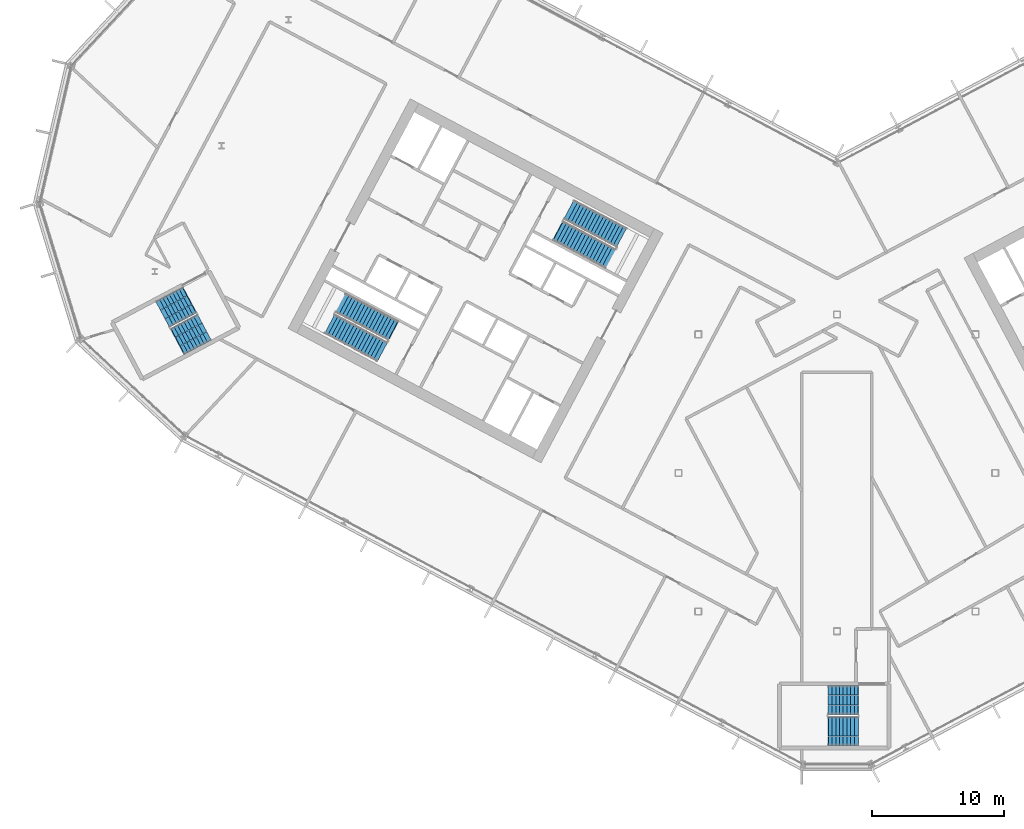
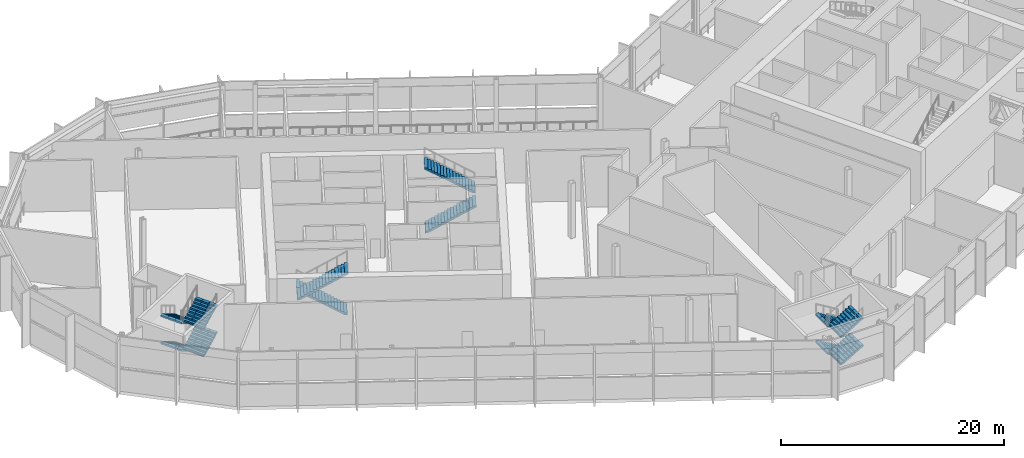
# One storey, part 18 of 33: 12 stair flights, 4 elements without a shape of their own.
"""IFC4 building model written with IfcOpenShell, lengths in metres."""

from ifc_helpers import new_model, si_unit, direction, frame, origin, place, context, subcontext, project, spatial, polyline, outline, extrude, material, type_object, element, aggregate, save


model = new_model("IFC4")

# Units and contexts
model_context = context("Model", 3, precision=1e-05, world=origin(), true_north=direction((0.0, 1.0)))
body_context = subcontext(model_context, "Body", "Model", "MODEL_VIEW")
ifc_project = project(units=[si_unit("LENGTHUNIT", "METRE"), si_unit("AREAUNIT", "SQUARE_METRE"), si_unit("VOLUMEUNIT", "CUBIC_METRE"), si_unit("PLANEANGLEUNIT", "RADIAN"), si_unit("MASSUNIT", "GRAM", prefix="KILO")], contexts=[model_context])

# Site, building, storey
site_placement = place(None, origin())
site = spatial("IfcSite", under=ifc_project, at=site_placement, CompositionType="ELEMENT")
building_placement = place(site_placement, origin())
building = spatial("IfcBuilding", under=site, at=building_placement, Name="Cormorant Relay Tower", CompositionType="ELEMENT")
storey_placement = place(building_placement, frame((0.0, 0.0, 183.60009765625)))
storey = spatial("IfcBuildingStorey", under=building, at=storey_placement, Name="L39", CompositionType="ELEMENT", Elevation=183.60009765625)

# Stair, stair flights
ifc_material_1 = material(Name="Concrete 40 MPa", Category="concrete")
stair_type_1 = type_object("IfcStairType", Name="Exit stair 1500", PredefinedType="HALF_TURN_STAIR", material=ifc_material_1)
stair_1_placement = place(storey_placement, origin())
stair_1 = element("IfcStair", 1, at=stair_1_placement, inside=storey, type_object=stair_type_1, Name="L39 Stair", PredefinedType="HALF_TURN_STAIR")
ifc_material_2 = material(Name="Concrete 40 MPa", Category="concrete")
stair_flight_type_1 = type_object("IfcStairFlightType", Name="Exit stair flight 1650", PredefinedType="STRAIGHT", material=ifc_material_2)
stair_flight_1_placement = place(storey_placement, frame((-21.114501953125, 18.33349609375, 0.0), z_axis=(0.0, 0.0, 1.0), x_axis=(0.882947592859, -0.469471562786, 0.0)))
stair_flight_1 = element("IfcStairFlight", 2, at=stair_flight_1_placement, type_object=stair_flight_type_1, Name="A1 flight 1", NumberOfRisers=17, NumberOfTreads=16, PredefinedType="STRAIGHT", RiserHeight=0.176470588, TreadLength=0.28, context=body_context, shape_type="SweptSolid", body=[
    extrude(outline(polyline([(-0.050048828125, -0.080078125), (-0.050048828125, 0.0), (0.0, 0.0), (0.0, 0.176513671875), (0.280029296875, 0.176513671875), (0.280029296875, 0.35302734375), (0.56005859375, 0.35302734375), (0.56005859375, 0.529296875), (0.840087890625, 0.529296875), (0.840087890625, 0.705810546875), (1.1201171875, 0.705810546875), (1.1201171875, 0.88232421875), (1.39990234375, 0.88232421875), (1.39990234375, 1.058837890625), (1.679931640625, 1.058837890625), (1.679931640625, 1.2353515625), (1.9599609375, 1.2353515625), (1.9599609375, 1.411865234375), (2.239990234375, 1.411865234375), (2.239990234375, 1.588134765625), (2.52001953125, 1.588134765625), (2.52001953125, 1.7646484375), (2.800048828125, 1.7646484375), (2.800048828125, 1.941162109375), (3.080078125, 1.941162109375), (3.080078125, 2.11767578125), (3.360107421875, 2.11767578125), (3.360107421875, 2.294189453125), (3.639892578125, 2.294189453125), (3.639892578125, 2.470703125), (3.919921875, 2.470703125), (3.919921875, 2.64697265625), (4.199951171875, 2.64697265625), (4.199951171875, 2.823486328125), (4.47998046875, 2.823486328125), (4.530029296875, 2.823486328125), (4.530029296875, 2.646240234375), (4.47998046875, 2.646240234375), (0.28125, 0.0), (-0.050048828125, -0.080078125)])), frame((0.0, 0.824951171875, 0.0), z_axis=(0.0, -1.0, 0.0), x_axis=(1.0, 0.0, 0.0)), (0.0, 0.0, 1.0), 1.64990234375),
])
stair_flight_2_placement = place(storey_placement, frame((-16.313720703125, 17.819580078125, 3.0), z_axis=(0.0, 0.0, 1.0), x_axis=(-0.882947592859, 0.469471562786, 0.0)))
stair_flight_2 = element("IfcStairFlight", 3, at=stair_flight_2_placement, type_object=stair_flight_type_1, Name="A1 flight 2", NumberOfRisers=17, NumberOfTreads=16, PredefinedType="STRAIGHT", RiserHeight=0.176470588, TreadLength=0.28, context=body_context, shape_type="SweptSolid", body=[
    extrude(outline(polyline([(-0.050048828125, -0.080078125), (-0.050048828125, 0.0), (0.0, 0.0), (0.0, 0.176513671875), (0.280029296875, 0.176513671875), (0.280029296875, 0.35302734375), (0.56005859375, 0.35302734375), (0.56005859375, 0.529296875), (0.840087890625, 0.529296875), (0.840087890625, 0.705810546875), (1.1201171875, 0.705810546875), (1.1201171875, 0.88232421875), (1.39990234375, 0.88232421875), (1.39990234375, 1.058837890625), (1.679931640625, 1.058837890625), (1.679931640625, 1.2353515625), (1.9599609375, 1.2353515625), (1.9599609375, 1.411865234375), (2.239990234375, 1.411865234375), (2.239990234375, 1.588134765625), (2.52001953125, 1.588134765625), (2.52001953125, 1.7646484375), (2.800048828125, 1.7646484375), (2.800048828125, 1.941162109375), (3.080078125, 1.941162109375), (3.080078125, 2.11767578125), (3.360107421875, 2.11767578125), (3.360107421875, 2.294189453125), (3.639892578125, 2.294189453125), (3.639892578125, 2.470703125), (3.919921875, 2.470703125), (3.919921875, 2.64697265625), (4.199951171875, 2.64697265625), (4.199951171875, 2.823486328125), (4.47998046875, 2.823486328125), (4.530029296875, 2.823486328125), (4.530029296875, 2.646240234375), (4.47998046875, 2.646240234375), (0.28125, 0.0), (-0.050048828125, -0.080078125)])), frame((0.0, 0.824951171875, 0.0), z_axis=(0.0, -1.0, 0.0), x_axis=(1.0, 0.0, 0.0)), (0.0, 0.0, 1.0), 1.64990234375),
])
aggregate(stair_1, [stair_flight_1, stair_flight_2])

stair_2_placement = place(storey_placement, origin())
stair_2 = element("IfcStair", 4, at=stair_2_placement, inside=storey, type_object=stair_type_1, Name="L39 Stair", PredefinedType="HALF_TURN_STAIR")
stair_flight_3_placement = place(storey_placement, frame((-33.62841796875, 10.773681640625, 0.0), z_axis=(0.0, 0.0, 1.0), x_axis=(-0.882947592859, 0.469471562786, 0.0)))
stair_flight_3 = element("IfcStairFlight", 5, at=stair_flight_3_placement, type_object=stair_flight_type_1, Name="A2 flight 1", NumberOfRisers=17, NumberOfTreads=16, PredefinedType="STRAIGHT", RiserHeight=0.176470588, TreadLength=0.28, context=body_context, shape_type="SweptSolid", body=[
    extrude(outline(polyline([(-0.050048828125, -0.080078125), (-0.050048828125, 0.0), (0.0, 0.0), (0.0, 0.176513671875), (0.280029296875, 0.176513671875), (0.280029296875, 0.35302734375), (0.56005859375, 0.35302734375), (0.56005859375, 0.529296875), (0.840087890625, 0.529296875), (0.840087890625, 0.705810546875), (1.1201171875, 0.705810546875), (1.1201171875, 0.88232421875), (1.39990234375, 0.88232421875), (1.39990234375, 1.058837890625), (1.679931640625, 1.058837890625), (1.679931640625, 1.2353515625), (1.9599609375, 1.2353515625), (1.9599609375, 1.411865234375), (2.239990234375, 1.411865234375), (2.239990234375, 1.588134765625), (2.52001953125, 1.588134765625), (2.52001953125, 1.7646484375), (2.800048828125, 1.7646484375), (2.800048828125, 1.941162109375), (3.080078125, 1.941162109375), (3.080078125, 2.11767578125), (3.360107421875, 2.11767578125), (3.360107421875, 2.294189453125), (3.639892578125, 2.294189453125), (3.639892578125, 2.470703125), (3.919921875, 2.470703125), (3.919921875, 2.64697265625), (4.199951171875, 2.64697265625), (4.199951171875, 2.823486328125), (4.47998046875, 2.823486328125), (4.530029296875, 2.823486328125), (4.530029296875, 2.646240234375), (4.47998046875, 2.646240234375), (0.28125, 0.0), (-0.050048828125, -0.080078125)])), frame((0.0, 0.824951171875, 0.0), z_axis=(0.0, -1.0, 0.0), x_axis=(1.0, 0.0, 0.0)), (0.0, 0.0, 1.0), 1.64990234375),
])
stair_flight_4_placement = place(storey_placement, frame((-38.428955078125, 11.28759765625, 3.0), z_axis=(0.0, 0.0, 1.0), x_axis=(0.882947592859, -0.469471562786, 0.0)))
stair_flight_4 = element("IfcStairFlight", 6, at=stair_flight_4_placement, type_object=stair_flight_type_1, Name="A2 flight 2", NumberOfRisers=17, NumberOfTreads=16, PredefinedType="STRAIGHT", RiserHeight=0.176470588, TreadLength=0.28, context=body_context, shape_type="SweptSolid", body=[
    extrude(outline(polyline([(-0.050048828125, -0.080078125), (-0.050048828125, 0.0), (0.0, 0.0), (0.0, 0.176513671875), (0.280029296875, 0.176513671875), (0.280029296875, 0.35302734375), (0.56005859375, 0.35302734375), (0.56005859375, 0.529296875), (0.840087890625, 0.529296875), (0.840087890625, 0.705810546875), (1.1201171875, 0.705810546875), (1.1201171875, 0.88232421875), (1.39990234375, 0.88232421875), (1.39990234375, 1.058837890625), (1.679931640625, 1.058837890625), (1.679931640625, 1.2353515625), (1.9599609375, 1.2353515625), (1.9599609375, 1.411865234375), (2.239990234375, 1.411865234375), (2.239990234375, 1.588134765625), (2.52001953125, 1.588134765625), (2.52001953125, 1.7646484375), (2.800048828125, 1.7646484375), (2.800048828125, 1.941162109375), (3.080078125, 1.941162109375), (3.080078125, 2.11767578125), (3.360107421875, 2.11767578125), (3.360107421875, 2.294189453125), (3.639892578125, 2.294189453125), (3.639892578125, 2.470703125), (3.919921875, 2.470703125), (3.919921875, 2.64697265625), (4.199951171875, 2.64697265625), (4.199951171875, 2.823486328125), (4.47998046875, 2.823486328125), (4.530029296875, 2.823486328125), (4.530029296875, 2.646240234375), (4.47998046875, 2.646240234375), (0.28125, 0.0), (-0.050048828125, -0.080078125)])), frame((0.0, 0.824951171875, 0.0), z_axis=(0.0, -1.0, 0.0), x_axis=(1.0, 0.0, 0.0)), (0.0, 0.0, 1.0), 1.64990234375),
])
aggregate(stair_2, [stair_flight_3, stair_flight_4])

ifc_material_3 = material(Name="Concrete 40 MPa", Category="concrete")
stair_type_2 = type_object("IfcStairType", Name="Remote exit stair 2200", PredefinedType="HALF_TURN_STAIR", material=ifc_material_3)
stair_3_placement = place(storey_placement, origin())
stair_3 = element("IfcStair", 7, at=stair_3_placement, inside=storey, type_object=stair_type_2, Name="L39 Stair", PredefinedType="HALF_TURN_STAIR")
ifc_material_4 = material(Name="Concrete 40 MPa", Category="concrete")
stair_flight_type_2 = type_object("IfcStairFlightType", Name="Remote exit stair flight 2200", PredefinedType="STRAIGHT", material=ifc_material_4)
stair_flight_5_placement = place(storey_placement, frame((1.60009765625, -17.22509765625, 0.0), z_axis=(0.0, 0.0, 1.0), x_axis=(-1.0, 0.0, 0.0)))
stair_flight_5 = element("IfcStairFlight", 8, at=stair_flight_5_placement, type_object=stair_flight_type_2, Name="RK1 flight 1", NumberOfRisers=9, NumberOfTreads=8, PredefinedType="STRAIGHT", RiserHeight=0.166666667, TreadLength=0.28, context=body_context, shape_type="SweptSolid", body=[
    extrude(outline(polyline([(-0.050048828125, -0.080078125), (-0.050048828125, 0.0), (0.0, 0.0), (0.0, 0.166748046875), (0.280029296875, 0.166748046875), (0.280029296875, 0.333251953125), (0.56005859375, 0.333251953125), (0.56005859375, 0.5), (0.840087890625, 0.5), (0.840087890625, 0.666748046875), (1.1201171875, 0.666748046875), (1.1201171875, 0.833251953125), (1.39990234375, 0.833251953125), (1.39990234375, 1.0), (1.679931640625, 1.0), (1.679931640625, 1.166748046875), (1.9599609375, 1.166748046875), (1.9599609375, 1.333251953125), (2.239990234375, 1.333251953125), (2.2900390625, 1.333251953125), (2.2900390625, 1.158935546875), (2.239990234375, 1.158935546875), (0.29296875, 0.0), (-0.050048828125, -0.080078125)])), frame((0.0, 1.10009765625, 0.0), z_axis=(0.0, -1.0, 0.0), x_axis=(1.0, 0.0, 0.0)), (0.0, 0.0, 1.0), 0.719970703125),
    extrude(outline(polyline([(-0.050048828125, -0.080078125), (-0.050048828125, 0.0), (0.0, 0.0), (0.0, 0.166748046875), (0.280029296875, 0.166748046875), (0.280029296875, 0.333251953125), (0.56005859375, 0.333251953125), (0.56005859375, 0.5), (0.840087890625, 0.5), (0.840087890625, 0.666748046875), (1.1201171875, 0.666748046875), (1.1201171875, 0.833251953125), (1.39990234375, 0.833251953125), (1.39990234375, 1.0), (1.679931640625, 1.0), (1.679931640625, 1.166748046875), (1.9599609375, 1.166748046875), (1.9599609375, 1.333251953125), (2.239990234375, 1.333251953125), (2.2900390625, 1.333251953125), (2.2900390625, 1.158935546875), (2.239990234375, 1.158935546875), (0.29296875, 0.0), (-0.050048828125, -0.080078125)])), frame((0.0, 0.360107421875, 0.0), z_axis=(0.0, -1.0, 0.0), x_axis=(1.0, 0.0, 0.0)), (0.0, 0.0, 1.0), 0.719970703125),
    extrude(outline(polyline([(-0.050048828125, -0.080078125), (-0.050048828125, 0.0), (0.0, 0.0), (0.0, 0.166748046875), (0.280029296875, 0.166748046875), (0.280029296875, 0.333251953125), (0.56005859375, 0.333251953125), (0.56005859375, 0.5), (0.840087890625, 0.5), (0.840087890625, 0.666748046875), (1.1201171875, 0.666748046875), (1.1201171875, 0.833251953125), (1.39990234375, 0.833251953125), (1.39990234375, 1.0), (1.679931640625, 1.0), (1.679931640625, 1.166748046875), (1.9599609375, 1.166748046875), (1.9599609375, 1.333251953125), (2.239990234375, 1.333251953125), (2.2900390625, 1.333251953125), (2.2900390625, 1.158935546875), (2.239990234375, 1.158935546875), (0.29296875, 0.0), (-0.050048828125, -0.080078125)])), frame((0.0, -0.3798828125, 0.0), z_axis=(0.0, -1.0, 0.0), x_axis=(1.0, 0.0, 0.0)), (0.0, 0.0, 1.0), 0.719970703125),
])
stair_flight_6_placement = place(storey_placement, frame((-0.639892578125, -19.574951171875, 1.5), z_axis=(0.0, 0.0, 1.0), x_axis=(1.0, 0.0, 0.0)))
stair_flight_6 = element("IfcStairFlight", 9, at=stair_flight_6_placement, type_object=stair_flight_type_2, Name="RK1 flight 2", NumberOfRisers=9, NumberOfTreads=8, PredefinedType="STRAIGHT", RiserHeight=0.166666667, TreadLength=0.28, context=body_context, shape_type="SweptSolid", body=[
    extrude(outline(polyline([(-0.050048828125, -0.080078125), (-0.050048828125, 0.0), (0.0, 0.0), (0.0, 0.166748046875), (0.280029296875, 0.166748046875), (0.280029296875, 0.333251953125), (0.56005859375, 0.333251953125), (0.56005859375, 0.5), (0.840087890625, 0.5), (0.840087890625, 0.666748046875), (1.1201171875, 0.666748046875), (1.1201171875, 0.833251953125), (1.39990234375, 0.833251953125), (1.39990234375, 1.0), (1.679931640625, 1.0), (1.679931640625, 1.166748046875), (1.9599609375, 1.166748046875), (1.9599609375, 1.333251953125), (2.239990234375, 1.333251953125), (2.2900390625, 1.333251953125), (2.2900390625, 1.158935546875), (2.239990234375, 1.158935546875), (0.29296875, 0.0), (-0.050048828125, -0.080078125)])), frame((0.0, 1.10009765625, 0.0), z_axis=(0.0, -1.0, 0.0), x_axis=(1.0, 0.0, 0.0)), (0.0, 0.0, 1.0), 0.719970703125),
    extrude(outline(polyline([(-0.050048828125, -0.080078125), (-0.050048828125, 0.0), (0.0, 0.0), (0.0, 0.166748046875), (0.280029296875, 0.166748046875), (0.280029296875, 0.333251953125), (0.56005859375, 0.333251953125), (0.56005859375, 0.5), (0.840087890625, 0.5), (0.840087890625, 0.666748046875), (1.1201171875, 0.666748046875), (1.1201171875, 0.833251953125), (1.39990234375, 0.833251953125), (1.39990234375, 1.0), (1.679931640625, 1.0), (1.679931640625, 1.166748046875), (1.9599609375, 1.166748046875), (1.9599609375, 1.333251953125), (2.239990234375, 1.333251953125), (2.2900390625, 1.333251953125), (2.2900390625, 1.158935546875), (2.239990234375, 1.158935546875), (0.29296875, 0.0), (-0.050048828125, -0.080078125)])), frame((0.0, 0.360107421875, 0.0), z_axis=(0.0, -1.0, 0.0), x_axis=(1.0, 0.0, 0.0)), (0.0, 0.0, 1.0), 0.719970703125),
    extrude(outline(polyline([(-0.050048828125, -0.080078125), (-0.050048828125, 0.0), (0.0, 0.0), (0.0, 0.166748046875), (0.280029296875, 0.166748046875), (0.280029296875, 0.333251953125), (0.56005859375, 0.333251953125), (0.56005859375, 0.5), (0.840087890625, 0.5), (0.840087890625, 0.666748046875), (1.1201171875, 0.666748046875), (1.1201171875, 0.833251953125), (1.39990234375, 0.833251953125), (1.39990234375, 1.0), (1.679931640625, 1.0), (1.679931640625, 1.166748046875), (1.9599609375, 1.166748046875), (1.9599609375, 1.333251953125), (2.239990234375, 1.333251953125), (2.2900390625, 1.333251953125), (2.2900390625, 1.158935546875), (2.239990234375, 1.158935546875), (0.29296875, 0.0), (-0.050048828125, -0.080078125)])), frame((0.0, -0.3798828125, 0.0), z_axis=(0.0, -1.0, 0.0), x_axis=(1.0, 0.0, 0.0)), (0.0, 0.0, 1.0), 0.719970703125),
])
stair_flight_7_placement = place(storey_placement, frame((1.60009765625, -17.22509765625, 3.0), z_axis=(0.0, 0.0, 1.0), x_axis=(-1.0, 0.0, 0.0)))
stair_flight_7 = element("IfcStairFlight", 10, at=stair_flight_7_placement, type_object=stair_flight_type_2, Name="RK1 flight 3", NumberOfRisers=9, NumberOfTreads=8, PredefinedType="STRAIGHT", RiserHeight=0.166666667, TreadLength=0.28, context=body_context, shape_type="SweptSolid", body=[
    extrude(outline(polyline([(-0.050048828125, -0.080078125), (-0.050048828125, 0.0), (0.0, 0.0), (0.0, 0.166748046875), (0.280029296875, 0.166748046875), (0.280029296875, 0.333251953125), (0.56005859375, 0.333251953125), (0.56005859375, 0.5), (0.840087890625, 0.5), (0.840087890625, 0.666748046875), (1.1201171875, 0.666748046875), (1.1201171875, 0.833251953125), (1.39990234375, 0.833251953125), (1.39990234375, 1.0), (1.679931640625, 1.0), (1.679931640625, 1.166748046875), (1.9599609375, 1.166748046875), (1.9599609375, 1.333251953125), (2.239990234375, 1.333251953125), (2.2900390625, 1.333251953125), (2.2900390625, 1.158935546875), (2.239990234375, 1.158935546875), (0.29296875, 0.0), (-0.050048828125, -0.080078125)])), frame((0.0, 1.10009765625, 0.0), z_axis=(0.0, -1.0, 0.0), x_axis=(1.0, 0.0, 0.0)), (0.0, 0.0, 1.0), 0.719970703125),
    extrude(outline(polyline([(-0.050048828125, -0.080078125), (-0.050048828125, 0.0), (0.0, 0.0), (0.0, 0.166748046875), (0.280029296875, 0.166748046875), (0.280029296875, 0.333251953125), (0.56005859375, 0.333251953125), (0.56005859375, 0.5), (0.840087890625, 0.5), (0.840087890625, 0.666748046875), (1.1201171875, 0.666748046875), (1.1201171875, 0.833251953125), (1.39990234375, 0.833251953125), (1.39990234375, 1.0), (1.679931640625, 1.0), (1.679931640625, 1.166748046875), (1.9599609375, 1.166748046875), (1.9599609375, 1.333251953125), (2.239990234375, 1.333251953125), (2.2900390625, 1.333251953125), (2.2900390625, 1.158935546875), (2.239990234375, 1.158935546875), (0.29296875, 0.0), (-0.050048828125, -0.080078125)])), frame((0.0, 0.360107421875, 0.0), z_axis=(0.0, -1.0, 0.0), x_axis=(1.0, 0.0, 0.0)), (0.0, 0.0, 1.0), 0.719970703125),
    extrude(outline(polyline([(-0.050048828125, -0.080078125), (-0.050048828125, 0.0), (0.0, 0.0), (0.0, 0.166748046875), (0.280029296875, 0.166748046875), (0.280029296875, 0.333251953125), (0.56005859375, 0.333251953125), (0.56005859375, 0.5), (0.840087890625, 0.5), (0.840087890625, 0.666748046875), (1.1201171875, 0.666748046875), (1.1201171875, 0.833251953125), (1.39990234375, 0.833251953125), (1.39990234375, 1.0), (1.679931640625, 1.0), (1.679931640625, 1.166748046875), (1.9599609375, 1.166748046875), (1.9599609375, 1.333251953125), (2.239990234375, 1.333251953125), (2.2900390625, 1.333251953125), (2.2900390625, 1.158935546875), (2.239990234375, 1.158935546875), (0.29296875, 0.0), (-0.050048828125, -0.080078125)])), frame((0.0, -0.3798828125, 0.0), z_axis=(0.0, -1.0, 0.0), x_axis=(1.0, 0.0, 0.0)), (0.0, 0.0, 1.0), 0.719970703125),
])
stair_flight_8_placement = place(storey_placement, frame((-0.639892578125, -19.574951171875, 4.5), z_axis=(0.0, 0.0, 1.0), x_axis=(1.0, 0.0, 0.0)))
stair_flight_8 = element("IfcStairFlight", 11, at=stair_flight_8_placement, type_object=stair_flight_type_2, Name="RK1 flight 4", NumberOfRisers=9, NumberOfTreads=8, PredefinedType="STRAIGHT", RiserHeight=0.166666667, TreadLength=0.28, context=body_context, shape_type="SweptSolid", body=[
    extrude(outline(polyline([(-0.050048828125, -0.080078125), (-0.050048828125, 0.0), (0.0, 0.0), (0.0, 0.166748046875), (0.280029296875, 0.166748046875), (0.280029296875, 0.333251953125), (0.56005859375, 0.333251953125), (0.56005859375, 0.5), (0.840087890625, 0.5), (0.840087890625, 0.666748046875), (1.1201171875, 0.666748046875), (1.1201171875, 0.833251953125), (1.39990234375, 0.833251953125), (1.39990234375, 1.0), (1.679931640625, 1.0), (1.679931640625, 1.166748046875), (1.9599609375, 1.166748046875), (1.9599609375, 1.333251953125), (2.239990234375, 1.333251953125), (2.2900390625, 1.333251953125), (2.2900390625, 1.158935546875), (2.239990234375, 1.158935546875), (0.29296875, 0.0), (-0.050048828125, -0.080078125)])), frame((0.0, 1.10009765625, 0.0), z_axis=(0.0, -1.0, 0.0), x_axis=(1.0, 0.0, 0.0)), (0.0, 0.0, 1.0), 0.719970703125),
    extrude(outline(polyline([(-0.050048828125, -0.080078125), (-0.050048828125, 0.0), (0.0, 0.0), (0.0, 0.166748046875), (0.280029296875, 0.166748046875), (0.280029296875, 0.333251953125), (0.56005859375, 0.333251953125), (0.56005859375, 0.5), (0.840087890625, 0.5), (0.840087890625, 0.666748046875), (1.1201171875, 0.666748046875), (1.1201171875, 0.833251953125), (1.39990234375, 0.833251953125), (1.39990234375, 1.0), (1.679931640625, 1.0), (1.679931640625, 1.166748046875), (1.9599609375, 1.166748046875), (1.9599609375, 1.333251953125), (2.239990234375, 1.333251953125), (2.2900390625, 1.333251953125), (2.2900390625, 1.158935546875), (2.239990234375, 1.158935546875), (0.29296875, 0.0), (-0.050048828125, -0.080078125)])), frame((0.0, 0.360107421875, 0.0), z_axis=(0.0, -1.0, 0.0), x_axis=(1.0, 0.0, 0.0)), (0.0, 0.0, 1.0), 0.719970703125),
    extrude(outline(polyline([(-0.050048828125, -0.080078125), (-0.050048828125, 0.0), (0.0, 0.0), (0.0, 0.166748046875), (0.280029296875, 0.166748046875), (0.280029296875, 0.333251953125), (0.56005859375, 0.333251953125), (0.56005859375, 0.5), (0.840087890625, 0.5), (0.840087890625, 0.666748046875), (1.1201171875, 0.666748046875), (1.1201171875, 0.833251953125), (1.39990234375, 0.833251953125), (1.39990234375, 1.0), (1.679931640625, 1.0), (1.679931640625, 1.166748046875), (1.9599609375, 1.166748046875), (1.9599609375, 1.333251953125), (2.239990234375, 1.333251953125), (2.2900390625, 1.333251953125), (2.2900390625, 1.158935546875), (2.239990234375, 1.158935546875), (0.29296875, 0.0), (-0.050048828125, -0.080078125)])), frame((0.0, -0.3798828125, 0.0), z_axis=(0.0, -1.0, 0.0), x_axis=(1.0, 0.0, 0.0)), (0.0, 0.0, 1.0), 0.719970703125),
])
aggregate(stair_3, [stair_flight_5, stair_flight_6, stair_flight_7, stair_flight_8])

stair_4_placement = place(storey_placement, origin())
stair_4 = element("IfcStair", 12, at=stair_4_placement, inside=storey, type_object=stair_type_2, Name="L39 Stair", PredefinedType="HALF_TURN_STAIR")
stair_flight_9_placement = place(storey_placement, frame((-49.062255859375, 13.08251953125, 0.0), z_axis=(0.0, 0.0, 1.0), x_axis=(-0.882947502727, -0.4694717323, 0.0)))
stair_flight_9 = element("IfcStairFlight", 13, at=stair_flight_9_placement, type_object=stair_flight_type_2, Name="RP1 flight 1", NumberOfRisers=9, NumberOfTreads=8, PredefinedType="STRAIGHT", RiserHeight=0.166666667, TreadLength=0.28, context=body_context, shape_type="SweptSolid", body=[
    extrude(outline(polyline([(-0.050048828125, -0.080078125), (-0.050048828125, 0.0), (0.0, 0.0), (0.0, 0.166748046875), (0.280029296875, 0.166748046875), (0.280029296875, 0.333251953125), (0.56005859375, 0.333251953125), (0.56005859375, 0.5), (0.840087890625, 0.5), (0.840087890625, 0.666748046875), (1.1201171875, 0.666748046875), (1.1201171875, 0.833251953125), (1.39990234375, 0.833251953125), (1.39990234375, 1.0), (1.679931640625, 1.0), (1.679931640625, 1.166748046875), (1.9599609375, 1.166748046875), (1.9599609375, 1.333251953125), (2.239990234375, 1.333251953125), (2.2900390625, 1.333251953125), (2.2900390625, 1.158935546875), (2.239990234375, 1.158935546875), (0.29296875, 0.0), (-0.050048828125, -0.080078125)])), frame((0.0, 1.10009765625, 0.0), z_axis=(0.0, -1.0, 0.0), x_axis=(1.0, 0.0, 0.0)), (0.0, 0.0, 1.0), 0.719970703125),
    extrude(outline(polyline([(-0.050048828125, -0.080078125), (-0.050048828125, 0.0), (0.0, 0.0), (0.0, 0.166748046875), (0.280029296875, 0.166748046875), (0.280029296875, 0.333251953125), (0.56005859375, 0.333251953125), (0.56005859375, 0.5), (0.840087890625, 0.5), (0.840087890625, 0.666748046875), (1.1201171875, 0.666748046875), (1.1201171875, 0.833251953125), (1.39990234375, 0.833251953125), (1.39990234375, 1.0), (1.679931640625, 1.0), (1.679931640625, 1.166748046875), (1.9599609375, 1.166748046875), (1.9599609375, 1.333251953125), (2.239990234375, 1.333251953125), (2.2900390625, 1.333251953125), (2.2900390625, 1.158935546875), (2.239990234375, 1.158935546875), (0.29296875, 0.0), (-0.050048828125, -0.080078125)])), frame((0.0, 0.360107421875, 0.0), z_axis=(0.0, -1.0, 0.0), x_axis=(1.0, 0.0, 0.0)), (0.0, 0.0, 1.0), 0.719970703125),
    extrude(outline(polyline([(-0.050048828125, -0.080078125), (-0.050048828125, 0.0), (0.0, 0.0), (0.0, 0.166748046875), (0.280029296875, 0.166748046875), (0.280029296875, 0.333251953125), (0.56005859375, 0.333251953125), (0.56005859375, 0.5), (0.840087890625, 0.5), (0.840087890625, 0.666748046875), (1.1201171875, 0.666748046875), (1.1201171875, 0.833251953125), (1.39990234375, 0.833251953125), (1.39990234375, 1.0), (1.679931640625, 1.0), (1.679931640625, 1.166748046875), (1.9599609375, 1.166748046875), (1.9599609375, 1.333251953125), (2.239990234375, 1.333251953125), (2.2900390625, 1.333251953125), (2.2900390625, 1.158935546875), (2.239990234375, 1.158935546875), (0.29296875, 0.0), (-0.050048828125, -0.080078125)])), frame((0.0, -0.3798828125, 0.0), z_axis=(0.0, -1.0, 0.0), x_axis=(1.0, 0.0, 0.0)), (0.0, 0.0, 1.0), 0.719970703125),
])
stair_flight_10_placement = place(storey_placement, frame((-49.936767578125, 9.9560546875, 1.5), z_axis=(0.0, 0.0, 1.0), x_axis=(0.882947502727, 0.4694717323, 0.0)))
stair_flight_10 = element("IfcStairFlight", 14, at=stair_flight_10_placement, type_object=stair_flight_type_2, Name="RP1 flight 2", NumberOfRisers=9, NumberOfTreads=8, PredefinedType="STRAIGHT", RiserHeight=0.166666667, TreadLength=0.28, context=body_context, shape_type="SweptSolid", body=[
    extrude(outline(polyline([(-0.050048828125, -0.080078125), (-0.050048828125, 0.0), (0.0, 0.0), (0.0, 0.166748046875), (0.280029296875, 0.166748046875), (0.280029296875, 0.333251953125), (0.56005859375, 0.333251953125), (0.56005859375, 0.5), (0.840087890625, 0.5), (0.840087890625, 0.666748046875), (1.1201171875, 0.666748046875), (1.1201171875, 0.833251953125), (1.39990234375, 0.833251953125), (1.39990234375, 1.0), (1.679931640625, 1.0), (1.679931640625, 1.166748046875), (1.9599609375, 1.166748046875), (1.9599609375, 1.333251953125), (2.239990234375, 1.333251953125), (2.2900390625, 1.333251953125), (2.2900390625, 1.158935546875), (2.239990234375, 1.158935546875), (0.29296875, 0.0), (-0.050048828125, -0.080078125)])), frame((0.0, 1.10009765625, 0.0), z_axis=(0.0, -1.0, 0.0), x_axis=(1.0, 0.0, 0.0)), (0.0, 0.0, 1.0), 0.719970703125),
    extrude(outline(polyline([(-0.050048828125, -0.080078125), (-0.050048828125, 0.0), (0.0, 0.0), (0.0, 0.166748046875), (0.280029296875, 0.166748046875), (0.280029296875, 0.333251953125), (0.56005859375, 0.333251953125), (0.56005859375, 0.5), (0.840087890625, 0.5), (0.840087890625, 0.666748046875), (1.1201171875, 0.666748046875), (1.1201171875, 0.833251953125), (1.39990234375, 0.833251953125), (1.39990234375, 1.0), (1.679931640625, 1.0), (1.679931640625, 1.166748046875), (1.9599609375, 1.166748046875), (1.9599609375, 1.333251953125), (2.239990234375, 1.333251953125), (2.2900390625, 1.333251953125), (2.2900390625, 1.158935546875), (2.239990234375, 1.158935546875), (0.29296875, 0.0), (-0.050048828125, -0.080078125)])), frame((0.0, 0.360107421875, 0.0), z_axis=(0.0, -1.0, 0.0), x_axis=(1.0, 0.0, 0.0)), (0.0, 0.0, 1.0), 0.719970703125),
    extrude(outline(polyline([(-0.050048828125, -0.080078125), (-0.050048828125, 0.0), (0.0, 0.0), (0.0, 0.166748046875), (0.280029296875, 0.166748046875), (0.280029296875, 0.333251953125), (0.56005859375, 0.333251953125), (0.56005859375, 0.5), (0.840087890625, 0.5), (0.840087890625, 0.666748046875), (1.1201171875, 0.666748046875), (1.1201171875, 0.833251953125), (1.39990234375, 0.833251953125), (1.39990234375, 1.0), (1.679931640625, 1.0), (1.679931640625, 1.166748046875), (1.9599609375, 1.166748046875), (1.9599609375, 1.333251953125), (2.239990234375, 1.333251953125), (2.2900390625, 1.333251953125), (2.2900390625, 1.158935546875), (2.239990234375, 1.158935546875), (0.29296875, 0.0), (-0.050048828125, -0.080078125)])), frame((0.0, -0.3798828125, 0.0), z_axis=(0.0, -1.0, 0.0), x_axis=(1.0, 0.0, 0.0)), (0.0, 0.0, 1.0), 0.719970703125),
])
stair_flight_11_placement = place(storey_placement, frame((-49.062255859375, 13.08251953125, 3.0), z_axis=(0.0, 0.0, 1.0), x_axis=(-0.882947502727, -0.4694717323, 0.0)))
stair_flight_11 = element("IfcStairFlight", 15, at=stair_flight_11_placement, type_object=stair_flight_type_2, Name="RP1 flight 3", NumberOfRisers=9, NumberOfTreads=8, PredefinedType="STRAIGHT", RiserHeight=0.166666667, TreadLength=0.28, context=body_context, shape_type="SweptSolid", body=[
    extrude(outline(polyline([(-0.050048828125, -0.080078125), (-0.050048828125, 0.0), (0.0, 0.0), (0.0, 0.166748046875), (0.280029296875, 0.166748046875), (0.280029296875, 0.333251953125), (0.56005859375, 0.333251953125), (0.56005859375, 0.5), (0.840087890625, 0.5), (0.840087890625, 0.666748046875), (1.1201171875, 0.666748046875), (1.1201171875, 0.833251953125), (1.39990234375, 0.833251953125), (1.39990234375, 1.0), (1.679931640625, 1.0), (1.679931640625, 1.166748046875), (1.9599609375, 1.166748046875), (1.9599609375, 1.333251953125), (2.239990234375, 1.333251953125), (2.2900390625, 1.333251953125), (2.2900390625, 1.158935546875), (2.239990234375, 1.158935546875), (0.29296875, 0.0), (-0.050048828125, -0.080078125)])), frame((0.0, 1.10009765625, 0.0), z_axis=(0.0, -1.0, 0.0), x_axis=(1.0, 0.0, 0.0)), (0.0, 0.0, 1.0), 0.719970703125),
    extrude(outline(polyline([(-0.050048828125, -0.080078125), (-0.050048828125, 0.0), (0.0, 0.0), (0.0, 0.166748046875), (0.280029296875, 0.166748046875), (0.280029296875, 0.333251953125), (0.56005859375, 0.333251953125), (0.56005859375, 0.5), (0.840087890625, 0.5), (0.840087890625, 0.666748046875), (1.1201171875, 0.666748046875), (1.1201171875, 0.833251953125), (1.39990234375, 0.833251953125), (1.39990234375, 1.0), (1.679931640625, 1.0), (1.679931640625, 1.166748046875), (1.9599609375, 1.166748046875), (1.9599609375, 1.333251953125), (2.239990234375, 1.333251953125), (2.2900390625, 1.333251953125), (2.2900390625, 1.158935546875), (2.239990234375, 1.158935546875), (0.29296875, 0.0), (-0.050048828125, -0.080078125)])), frame((0.0, 0.360107421875, 0.0), z_axis=(0.0, -1.0, 0.0), x_axis=(1.0, 0.0, 0.0)), (0.0, 0.0, 1.0), 0.719970703125),
    extrude(outline(polyline([(-0.050048828125, -0.080078125), (-0.050048828125, 0.0), (0.0, 0.0), (0.0, 0.166748046875), (0.280029296875, 0.166748046875), (0.280029296875, 0.333251953125), (0.56005859375, 0.333251953125), (0.56005859375, 0.5), (0.840087890625, 0.5), (0.840087890625, 0.666748046875), (1.1201171875, 0.666748046875), (1.1201171875, 0.833251953125), (1.39990234375, 0.833251953125), (1.39990234375, 1.0), (1.679931640625, 1.0), (1.679931640625, 1.166748046875), (1.9599609375, 1.166748046875), (1.9599609375, 1.333251953125), (2.239990234375, 1.333251953125), (2.2900390625, 1.333251953125), (2.2900390625, 1.158935546875), (2.239990234375, 1.158935546875), (0.29296875, 0.0), (-0.050048828125, -0.080078125)])), frame((0.0, -0.3798828125, 0.0), z_axis=(0.0, -1.0, 0.0), x_axis=(1.0, 0.0, 0.0)), (0.0, 0.0, 1.0), 0.719970703125),
])
stair_flight_12_placement = place(storey_placement, frame((-49.936767578125, 9.9560546875, 4.5), z_axis=(0.0, 0.0, 1.0), x_axis=(0.882947502727, 0.4694717323, 0.0)))
stair_flight_12 = element("IfcStairFlight", 16, at=stair_flight_12_placement, type_object=stair_flight_type_2, Name="RP1 flight 4", NumberOfRisers=9, NumberOfTreads=8, PredefinedType="STRAIGHT", RiserHeight=0.166666667, TreadLength=0.28, context=body_context, shape_type="SweptSolid", body=[
    extrude(outline(polyline([(-0.050048828125, -0.080078125), (-0.050048828125, 0.0), (0.0, 0.0), (0.0, 0.166748046875), (0.280029296875, 0.166748046875), (0.280029296875, 0.333251953125), (0.56005859375, 0.333251953125), (0.56005859375, 0.5), (0.840087890625, 0.5), (0.840087890625, 0.666748046875), (1.1201171875, 0.666748046875), (1.1201171875, 0.833251953125), (1.39990234375, 0.833251953125), (1.39990234375, 1.0), (1.679931640625, 1.0), (1.679931640625, 1.166748046875), (1.9599609375, 1.166748046875), (1.9599609375, 1.333251953125), (2.239990234375, 1.333251953125), (2.2900390625, 1.333251953125), (2.2900390625, 1.158935546875), (2.239990234375, 1.158935546875), (0.29296875, 0.0), (-0.050048828125, -0.080078125)])), frame((0.0, 1.10009765625, 0.0), z_axis=(0.0, -1.0, 0.0), x_axis=(1.0, 0.0, 0.0)), (0.0, 0.0, 1.0), 0.719970703125),
    extrude(outline(polyline([(-0.050048828125, -0.080078125), (-0.050048828125, 0.0), (0.0, 0.0), (0.0, 0.166748046875), (0.280029296875, 0.166748046875), (0.280029296875, 0.333251953125), (0.56005859375, 0.333251953125), (0.56005859375, 0.5), (0.840087890625, 0.5), (0.840087890625, 0.666748046875), (1.1201171875, 0.666748046875), (1.1201171875, 0.833251953125), (1.39990234375, 0.833251953125), (1.39990234375, 1.0), (1.679931640625, 1.0), (1.679931640625, 1.166748046875), (1.9599609375, 1.166748046875), (1.9599609375, 1.333251953125), (2.239990234375, 1.333251953125), (2.2900390625, 1.333251953125), (2.2900390625, 1.158935546875), (2.239990234375, 1.158935546875), (0.29296875, 0.0), (-0.050048828125, -0.080078125)])), frame((0.0, 0.360107421875, 0.0), z_axis=(0.0, -1.0, 0.0), x_axis=(1.0, 0.0, 0.0)), (0.0, 0.0, 1.0), 0.719970703125),
    extrude(outline(polyline([(-0.050048828125, -0.080078125), (-0.050048828125, 0.0), (0.0, 0.0), (0.0, 0.166748046875), (0.280029296875, 0.166748046875), (0.280029296875, 0.333251953125), (0.56005859375, 0.333251953125), (0.56005859375, 0.5), (0.840087890625, 0.5), (0.840087890625, 0.666748046875), (1.1201171875, 0.666748046875), (1.1201171875, 0.833251953125), (1.39990234375, 0.833251953125), (1.39990234375, 1.0), (1.679931640625, 1.0), (1.679931640625, 1.166748046875), (1.9599609375, 1.166748046875), (1.9599609375, 1.333251953125), (2.239990234375, 1.333251953125), (2.2900390625, 1.333251953125), (2.2900390625, 1.158935546875), (2.239990234375, 1.158935546875), (0.29296875, 0.0), (-0.050048828125, -0.080078125)])), frame((0.0, -0.3798828125, 0.0), z_axis=(0.0, -1.0, 0.0), x_axis=(1.0, 0.0, 0.0)), (0.0, 0.0, 1.0), 0.719970703125),
])
aggregate(stair_4, [stair_flight_9, stair_flight_10, stair_flight_11, stair_flight_12])

save(model, "model.ifc")
